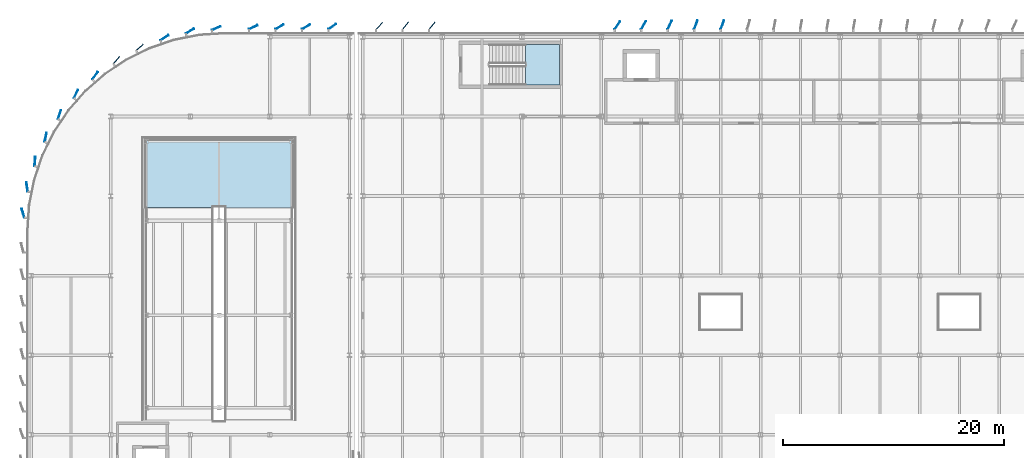
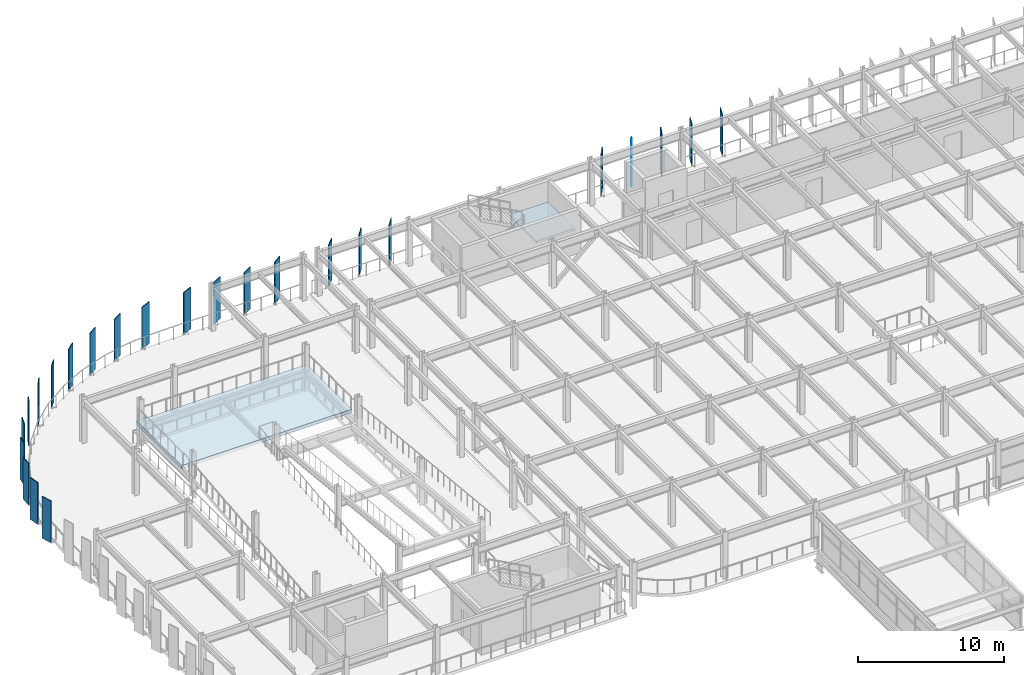
# One storey, part 53 of 93: 24 plates, 2 slabs, 1 element without a shape of its own.
"""IFC4 building model written with IfcOpenShell, lengths in metres."""

from ifc_helpers import new_model, si_unit, direction, frame, origin, origin_2d, place, context, subcontext, project, spatial, polyline, rectangle, outline, extrude, material, layer, layer_set, type_object, element, aggregate, save


model = new_model("IFC4")

# Units and contexts
model_context = context("Model", 3, precision=1e-05, world=origin(), true_north=direction((0.0, 1.0)))
body_context = subcontext(model_context, "Body", "Model", "MODEL_VIEW")
ifc_project = project(units=[si_unit("LENGTHUNIT", "METRE"), si_unit("AREAUNIT", "SQUARE_METRE"), si_unit("VOLUMEUNIT", "CUBIC_METRE"), si_unit("PLANEANGLEUNIT", "RADIAN"), si_unit("MASSUNIT", "GRAM", prefix="KILO")], contexts=[model_context])

# Site, building, storey
site_placement = place(None, origin())
site = spatial("IfcSite", under=ifc_project, at=site_placement, CompositionType="ELEMENT")
building_placement = place(site_placement, origin())
building = spatial("IfcBuilding", under=site, at=building_placement, Name="Vaelcorin Mobility Hub", CompositionType="ELEMENT")
storey_placement = place(building_placement, frame((0.0, 0.0, 5.39990234375)))
storey = spatial("IfcBuildingStorey", under=building, at=storey_placement, Name="L01", CompositionType="ELEMENT", Elevation=5.39990234375)

# Plates
ifc_material_1 = material(Name="Perforated terracotta-bronze aluminium aerofoil", Category="masonry")
ifc_layer_1 = layer(ifc_material_1, 0.06005859375)
ifc_layer_set_1 = layer_set([ifc_layer_1], Name="Perforated terracotta-bronze aluminium aerofoil")
plate_type_1 = type_object("IfcPlateType", Name="PL-FIN-AF1", PredefinedType="SHEET", material=ifc_layer_set_1)
for number, where, z_axis, x_axis, name in (
    (1, (37.5009765625, 120.990966796875, -0.159912109375), (0.0, 0.0, 1.0), (0.707106781187, 0.707106781187, 0.0), "Rotating Terracotta-Bronze Aerofoil Fin FIN-V4-L01-N-01-AF-01"),
    (2, (39.873046875, 121.01611328125, -0.159912109375), (0.0, 0.0, 1.0), (0.642787609687, 0.766044443119, 0.0), "Rotating Terracotta-Bronze Aerofoil Fin FIN-V4-L01-N-01-AF-02"),
    (3, (42.27294921875, 121.01611328125, -0.159912109375), (0.0, 0.0, 1.0), (0.642787609687, 0.766044443119, 0.0), "Rotating Terracotta-Bronze Aerofoil Fin FIN-V4-L01-N-01-AF-03"),
    (4, (59.0439453125, 121.0380859375, -0.159912109375), (0.0, 0.0, 1.0), (0.573576436351, 0.819152044289, 0.0), "Rotating Terracotta-Bronze Aerofoil Fin FIN-V4-L01-N-04-AF-01"),
    (5, (61.412109375, 121.05810546875, -0.159912109375), (0.0, 0.0, 1.0), (0.5, 0.866025403784, 0.0), "Rotating Terracotta-Bronze Aerofoil Fin FIN-V4-L01-N-04-AF-02"),
    (6, (63.780029296875, 121.074951171875, -0.159912109375), (0.0, 0.0, 1.0), (0.422618261741, 0.906307787037, 0.0), "Rotating Terracotta-Bronze Aerofoil Fin FIN-V4-L01-N-04-AF-03"),
    (7, (66.14501953125, 121.089111328125, -0.159912109375), (0.0, 0.0, 1.0), (0.342020143326, 0.939692620786, 0.0), "Rotating Terracotta-Bronze Aerofoil Fin FIN-V4-L01-N-05-AF-01"),
    (8, (68.544921875, 121.089111328125, -0.159912109375), (0.0, 0.0, 1.0), (0.342020143326, 0.939692620786, 0.0), "Rotating Terracotta-Bronze Aerofoil Fin FIN-V4-L01-N-05-AF-02"),
):
    element("IfcPlate", number, at=place(storey_placement, frame(where, z_axis=z_axis, x_axis=x_axis)), inside=storey, type_object=plate_type_1, Name=name, PredefinedType="SHEET", context=body_context, shape_type="SweptSolid", body=[
        extrude(rectangle(XDim=0.85009765625, YDim=0.06005859375, at=origin_2d()), origin(), (0.0, 0.0, 1.0), 3.5),
    ])
ifc_layer_2 = layer(ifc_material_1, 0.070068359375)
ifc_layer_set_2 = layer_set([ifc_layer_2], Name="Perforated terracotta-bronze aluminium aerofoil")
plate_type_2 = type_object("IfcPlateType", Name="PL-FIN-AF3", PredefinedType="SHEET", material=ifc_layer_set_2)
for number, where, z_axis, x_axis, name in (
    (9, (26.0849609375, 120.8701171875, -0.159912109375), (0.0, 0.0, 1.0), (0.906307787037, 0.422618261741, 0.0), "Rotating Terracotta-Bronze Aerofoil Fin FIN-V2W-L01-N-AF-01"),
    (10, (28.468017578125, 120.902099609375, -0.159912109375), (0.0, 0.0, 1.0), (0.866025403784, 0.5, 0.0), "Rotating Terracotta-Bronze Aerofoil Fin FIN-V2W-L01-N-AF-02"),
    (11, (30.867919921875, 120.902099609375, -0.159912109375), (0.0, 0.0, 1.0), (0.866025403784, 0.5, 0.0), "Rotating Terracotta-Bronze Aerofoil Fin FIN-V2W-L01-N-AF-03"),
    (12, (33.248046875, 120.93408203125, -0.159912109375), (0.0, 0.0, 1.0), (0.819152044289, 0.573576436351, 0.0), "Rotating Terracotta-Bronze Aerofoil Fin FIN-V2W-L01-N-AF-04"),
    (13, (22.7490234375, 120.783935546875, -0.159912109375), (0.0, 0.0, 1.0), (0.915304449724, 0.402762664996, 0.0), "Rotating Terracotta-Bronze Aerofoil Fin FIN-V2W-L01-ARC-01"),
    (14, (20.363037109375, 120.52197265625, -0.159912109375), (0.0, 0.0, 1.0), (0.855020503539, 0.51859419446, 0.0), "Rotating Terracotta-Bronze Aerofoil Fin FIN-V2W-L01-ARC-02"),
    (15, (18.052978515625, 119.922119140625, -0.159912109375), (0.0, 0.0, 1.0), (0.831392031959, 0.555686322663, 0.0), "Rotating Terracotta-Bronze Aerofoil Fin FIN-V2W-L01-ARC-03"),
    (16, (15.819091796875, 119.054931640625, -0.159912109375), (0.0, 0.0, 1.0), (0.751724718475, 0.659477025858, 0.0), "Rotating Terracotta-Bronze Aerofoil Fin FIN-V2W-L01-ARC-04"),
    (17, (13.718017578125, 117.903076171875, -0.159912109375), (0.0, 0.0, 1.0), (0.659424543965, 0.751770756824, 0.0), "Rotating Terracotta-Bronze Aerofoil Fin FIN-V2W-L01-ARC-05"),
    (18, (11.784912109375, 116.488037109375, -0.159912109375), (0.0, 0.0, 1.0), (0.555642790316, 0.831421126488, 0.0), "Rotating Terracotta-Bronze Aerofoil Fin FIN-V2W-L01-ARC-06"),
    (19, (10.052978515625, 114.83203125, -0.159912109375), (0.0, 0.0, 1.0), (0.442210421623, 0.896911335087, 0.0), "Rotating Terracotta-Bronze Aerofoil Fin FIN-V2W-L01-ARC-07"),
    (20, (8.552978515625, 112.965087890625, -0.159912109375), (0.0, 0.0, 1.0), (0.32134030125, 0.946963785365, 0.0), "Rotating Terracotta-Bronze Aerofoil Fin FIN-V2W-L01-ARC-08"),
    (21, (7.30908203125, 110.9169921875, -0.159912109375), (0.0, 0.0, 1.0), (0.195261498368, 0.980751215781, 0.0), "Rotating Terracotta-Bronze Aerofoil Fin FIN-V2W-L01-ARC-09"),
    (22, (6.342041015625, 108.72509765625, -0.159912109375), (0.0, 0.0, 1.0), (0.065542455982, 0.997849781512, 0.0), "Rotating Terracotta-Bronze Aerofoil Fin FIN-V2W-L01-ARC-10"),
    (23, (5.633056640625, 106.4208984375, -0.159912109375), (0.0, 0.0, 1.0), (-0.152330384803, 0.988329628143, 0.0), "Rotating Terracotta-Bronze Aerofoil Fin FIN-V2W-L01-ARC-11"),
    (24, (5.26904296875, 104.048095703125, -0.159912109375), (0.0, 0.0, 1.0), (-0.279812257957, 0.960054738177, 0.0), "Rotating Terracotta-Bronze Aerofoil Fin FIN-V2W-L01-ARC-12"),
):
    element("IfcPlate", number, at=place(storey_placement, frame(where, z_axis=z_axis, x_axis=x_axis)), inside=storey, type_object=plate_type_2, Name=name, PredefinedType="SHEET", context=body_context, shape_type="SweptSolid", body=[
        extrude(rectangle(XDim=0.85009765625, YDim=0.070068359375, at=origin_2d()), origin(), (0.0, 0.0, 1.0), 3.5),
    ])

# Stair, slab
ifc_material_2 = material(Name="Reinforced concrete f'c 45 MPa", Category="concrete")
stair_type = type_object("IfcStairType", Name="STAIR-ST3", PredefinedType="HALF_TURN_STAIR", material=ifc_material_2)
stair_placement = place(storey_placement, origin())
stair = element("IfcStair", 25, at=stair_placement, inside=storey, type_object=stair_type, Name="L01 Protected Exit Stair ST3", PredefinedType="HALF_TURN_STAIR")
ifc_layer_3 = layer(ifc_material_2, 0.199951171875)
ifc_layer_set_3 = layer_set([ifc_layer_3], Name="Reinforced concrete f'c 45 MPa")
slab_type_1 = type_object("IfcSlabType", Name="SLAB-LND-200", PredefinedType="LANDING", material=ifc_layer_set_3)
slab_1_placement = place(storey_placement, frame((0.0, 0.0, 1.75)))
slab_1 = element("IfcSlab", 26, at=slab_1_placement, type_object=slab_type_1, Name="ST3 landing 1", PredefinedType="LANDING", context=body_context, shape_type="SweptSolid", body=[
    extrude(outline(polyline([(50.75, 115.64990234375), (53.800048828125, 115.64990234375), (53.800048828125, 119.330078125), (50.75, 119.330078125), (50.75, 115.64990234375)])), origin(), (0.0, 0.0, 1.0), 0.2001953125),
])
aggregate(stair, [slab_1])

# Slab
ifc_material_3 = material(Name="Concrete f'c 35 MPa", Category="concrete")
ifc_layer_4 = layer(ifc_material_3, 0.25)
ifc_layer_set_4 = layer_set([ifc_layer_4], Name="Concrete f'c 35 MPa")
slab_type_2 = type_object("IfcSlabType", Name="SLAB-RMP", PredefinedType="FLOOR", material=ifc_layer_set_4)
slab_2_placement = place(storey_placement, frame((0.0, 0.0, 1.670166015625)))
element("IfcSlab", 27, at=slab_2_placement, inside=storey, type_object=slab_type_2, Name="Vehicle Ramp VR-1 L01 Half-Turn Landing", PredefinedType="LANDING", context=body_context, shape_type="SweptSolid", body=[
    extrude(outline(polyline([(16.25, 104.56005859375), (29.75, 104.56005859375), (29.75, 110.75), (16.25, 110.75), (16.25, 104.56005859375)])), origin(), (0.0, 0.0, 1.0), 0.280029296875),
])

save(model, "model.ifc")
